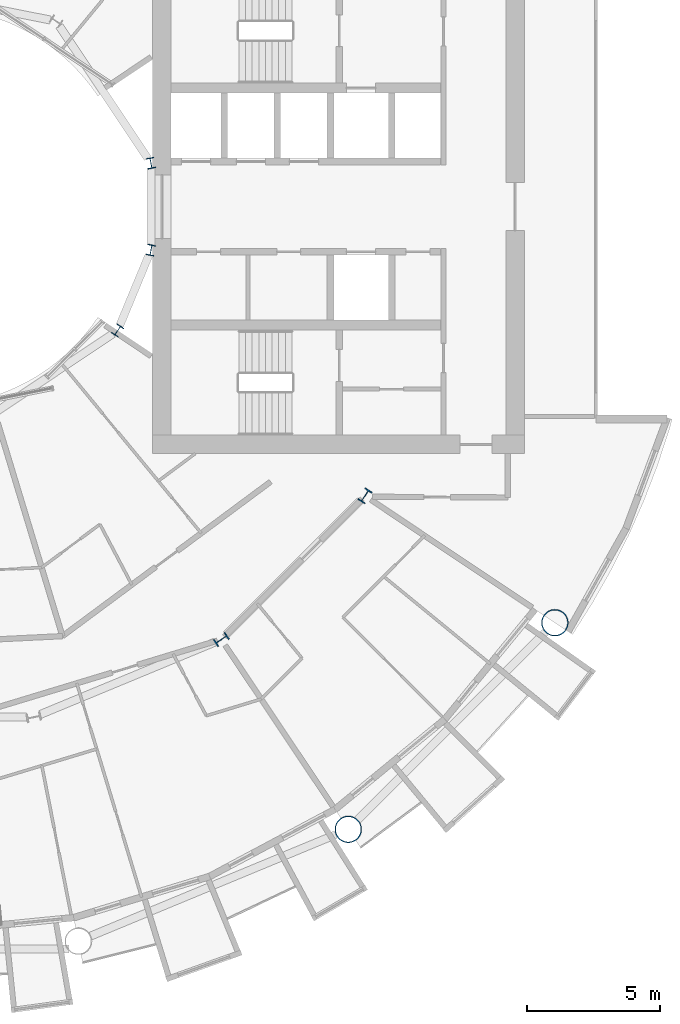
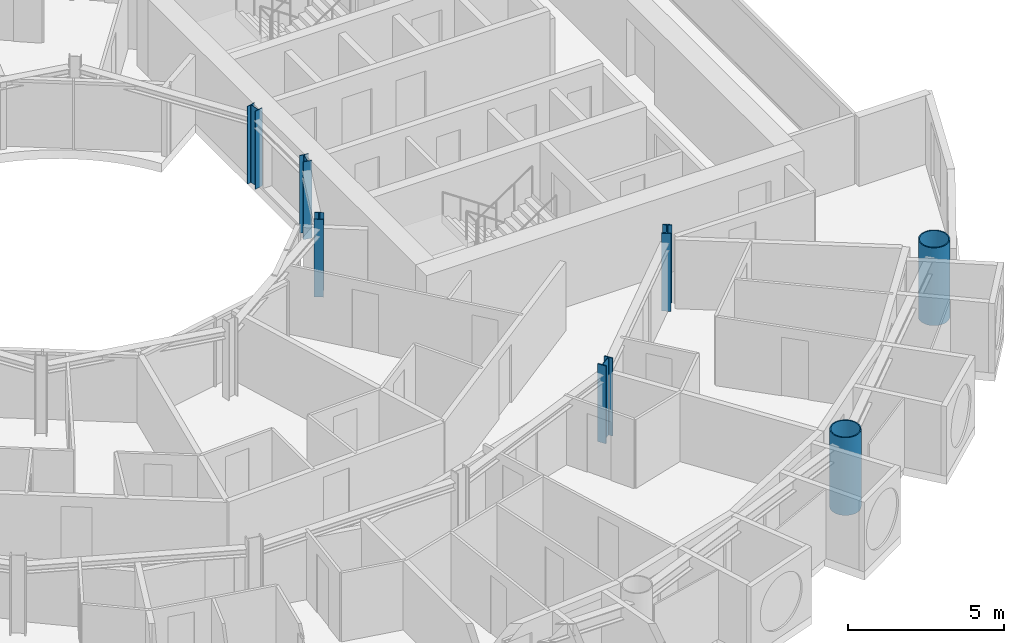
# One storey, part 2 of 26: 7 columns.
"""IFC4 building model written with IfcOpenShell, lengths in metres."""

from ifc_helpers import new_model, si_unit, direction, frame, origin, origin_2d, place, context, subcontext, project, spatial, hollow_circle, i_section, extrude, material, material_profile, profile_set, type_object, element, save


model = new_model("IFC4")

# Units and contexts
model_context = context("Model", 3, precision=1e-05, world=origin(), true_north=direction((0.0, 1.0)))
body_context = subcontext(model_context, "Body", "Model", "MODEL_VIEW")
ifc_project = project(units=[si_unit("LENGTHUNIT", "METRE"), si_unit("AREAUNIT", "SQUARE_METRE"), si_unit("VOLUMEUNIT", "CUBIC_METRE"), si_unit("PLANEANGLEUNIT", "RADIAN"), si_unit("MASSUNIT", "GRAM", prefix="KILO")], contexts=[model_context])

# Site, building, storey
site_placement = place(None, origin())
site = spatial("IfcSite", under=ifc_project, at=site_placement, CompositionType="ELEMENT")
building_placement = place(site_placement, origin())
building = spatial("IfcBuilding", under=site, at=building_placement, Name="Maasbend Ring Residences", CompositionType="ELEMENT")
storey_placement = place(building_placement, frame((0.0, 0.0, 88.0)))
storey = spatial("IfcBuildingStorey", under=building, at=storey_placement, Name="L25", CompositionType="ELEMENT", Elevation=88.0)

# Columns
ifc_material_1 = material(Name="Composite concrete-filled steel tube S460NH / C80/95", Category="concrete")
ifc_material_profile_1 = material_profile(ifc_material_1, hollow_circle(Radius=0.508056640625, WallThickness=0.0400390625, at=origin_2d()), Name="Composite tube column CHS 1016x40")
ifc_profile_set_1 = profile_set([ifc_material_profile_1], Name="Composite concrete-filled steel tube S460NH / C80/95")
column_type_1 = type_object("IfcColumnType", Name="Composite tube column CHS 1016x40", PredefinedType="COLUMN", material=ifc_profile_set_1)
for number, where, z_axis, x_axis, name in (
    (1, (15.6669921875, -23.447509765625, 0.0), (0.0, 0.0, 1.0), (1.0, 0.0, 0.0), "Outer column R14"),
    (2, (23.447509765625, -15.6669921875, 0.0), (0.0, 0.0, 1.0), (1.0, 0.0, 0.0), "Outer column R15"),
):
    element("IfcColumn", number, at=place(storey_placement, frame(where, z_axis=z_axis, x_axis=x_axis)), inside=storey, type_object=column_type_1, Name=name, PredefinedType="COLUMN", context=body_context, shape_type="SweptSolid", body=[
        extrude(hollow_circle(Radius=0.508056640625, WallThickness=0.0400390625, at=origin_2d()), origin(), (0.0, 0.0, 1.0), 3.050048828125),
    ])
ifc_material_2 = material(Name="Steel S355J2", Category="steel")
ifc_material_profile_2 = material_profile(ifc_material_2, i_section(OverallWidth=0.300048828125, OverallDepth=0.39990234375, WebThickness=0.013427734375, FlangeThickness=0.02392578125, FilletRadius=0.027099609375, at=origin_2d()), Name="HEB 400")
ifc_profile_set_2 = profile_set([ifc_material_profile_2], Name="Steel S355J2")
column_type_2 = type_object("IfcColumnType", Name="Steel column HEB 400", PredefinedType="COLUMN", material=ifc_profile_set_2)
for number, where, z_axis, x_axis, name in (
    (3, (8.238525390625, 1.638916015625, 0.0), (0.0, 0.0, 1.0), (0.980785280403, 0.195090322016, 0.0), "Well ring column R1"),
    (4, (6.984375, -4.666748046875, 0.0), (0.0, 0.0, 1.0), (0.831469612303, -0.55557023302, 0.0), "Well ring column R15"),
    (5, (8.238525390625, -1.638916015625, 0.0), (0.0, 0.0, 1.0), (0.980785280403, -0.195090322016, 0.0), "Well ring column R16"),
):
    element("IfcColumn", number, at=place(storey_placement, frame(where, z_axis=z_axis, x_axis=x_axis)), inside=storey, type_object=column_type_2, Name=name, PredefinedType="COLUMN", context=body_context, shape_type="SweptSolid", body=[
        extrude(i_section(OverallWidth=0.300048828125, OverallDepth=0.39990234375, WebThickness=0.013427734375, FlangeThickness=0.02392578125, FilletRadius=0.027099609375, at=origin_2d()), origin(), (0.0, 0.0, 1.0), 3.050048828125),
    ])
ifc_material_3 = material(Name="Steel S460M", Category="steel")
ifc_material_profile_3 = material_profile(ifc_material_3, i_section(OverallWidth=0.305908203125, OverallDepth=0.52392578125, WebThickness=0.02099609375, FlangeThickness=0.0400390625, FilletRadius=0.027099609375, at=origin_2d()), Name="HEM 500")
ifc_profile_set_3 = profile_set([ifc_material_profile_3], Name="Steel S460M")
column_type_3 = type_object("IfcColumnType", Name="Steel column HEM 500", PredefinedType="COLUMN", material=ifc_profile_set_3)
for number, where, z_axis, x_axis, name in (
    (6, (10.88916015625, -16.296875, 0.0), (0.0, 0.0, 1.0), (0.55557023302, -0.831469612303, 0.0), "Corridor ring column R14"),
    (7, (16.296875, -10.88916015625, 0.0), (0.0, 0.0, 1.0), (0.831469612303, -0.55557023302, 0.0), "Corridor ring column R15"),
):
    element("IfcColumn", number, at=place(storey_placement, frame(where, z_axis=z_axis, x_axis=x_axis)), inside=storey, type_object=column_type_3, Name=name, PredefinedType="COLUMN", context=body_context, shape_type="SweptSolid", body=[
        extrude(i_section(OverallWidth=0.305908203125, OverallDepth=0.52392578125, WebThickness=0.02099609375, FlangeThickness=0.0400390625, FilletRadius=0.027099609375, at=origin_2d()), origin(), (0.0, 0.0, 1.0), 3.050048828125),
    ])

save(model, "model.ifc")
